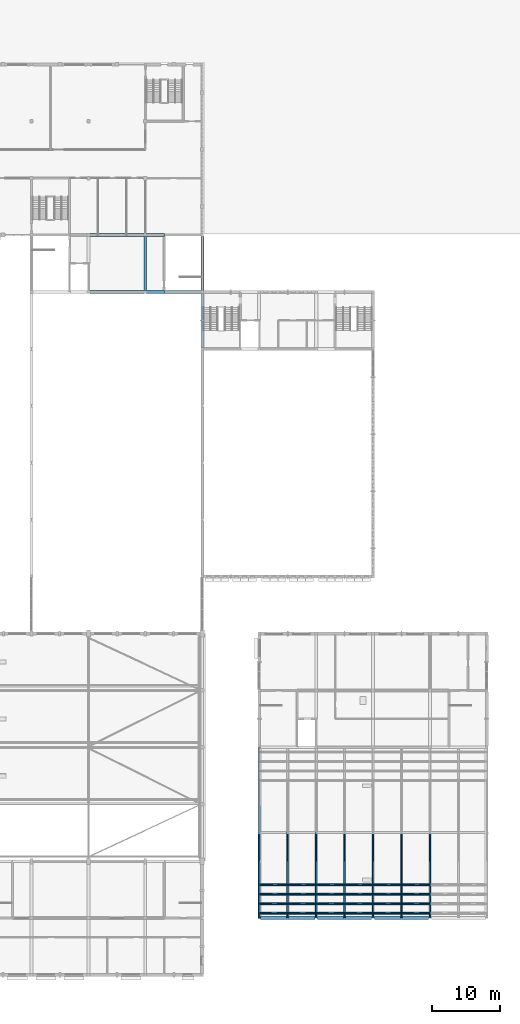
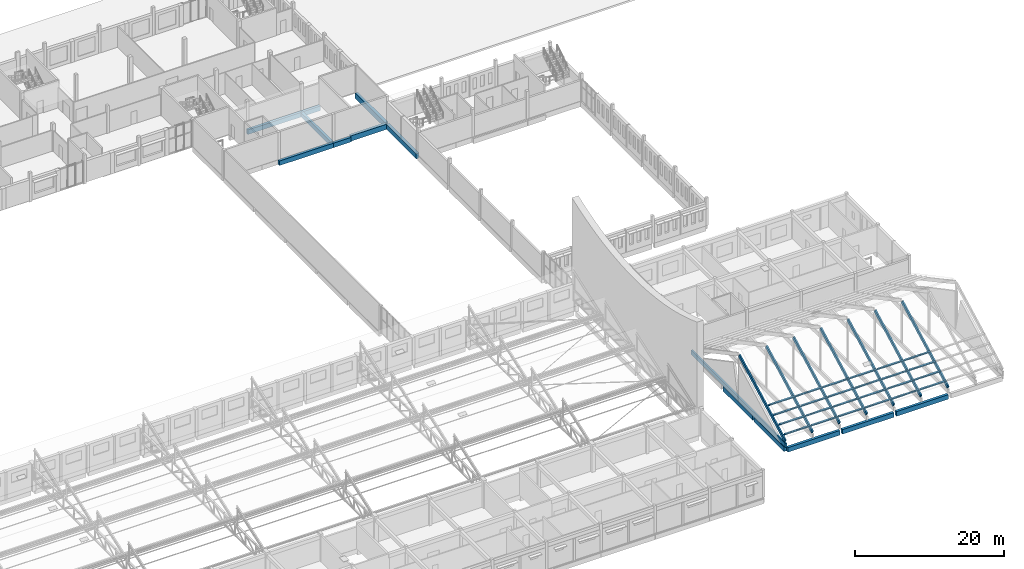
# One storey, part 44 of 101: 31 members, 14 beams.
"""IFC4 building model written with IfcOpenShell, lengths in metres."""

from ifc_helpers import new_model, si_unit, direction, frame, origin, origin_2d, place, context, subcontext, project, spatial, rectangle, extrude, material, material_profile, profile_set, type_object, element, save


model = new_model("IFC4")

# Units and contexts
model_context = context("Model", 3, precision=1e-05, world=origin(), true_north=direction((0.0, 1.0)))
body_context = subcontext(model_context, "Body", "Model", "MODEL_VIEW")
ifc_project = project(units=[si_unit("LENGTHUNIT", "METRE"), si_unit("AREAUNIT", "SQUARE_METRE"), si_unit("VOLUMEUNIT", "CUBIC_METRE"), si_unit("PLANEANGLEUNIT", "RADIAN"), si_unit("MASSUNIT", "GRAM", prefix="KILO")], contexts=[model_context])

# Site, building, storey
site_placement = place(None, origin())
site = spatial("IfcSite", under=ifc_project, at=site_placement, CompositionType="ELEMENT")
building_placement = place(site_placement, origin())
building = spatial("IfcBuilding", under=site, at=building_placement, Name="Fescue Hill Polytechnic", CompositionType="ELEMENT")
storey_placement = place(building_placement, frame((0.0, 0.0, 9.0)))
storey = spatial("IfcBuildingStorey", under=building, at=storey_placement, Name="L02", CompositionType="ELEMENT", Elevation=9.0)

# Beams
ifc_material_1 = material(Name="Concrete 35 MPa", Category="concrete")
ifc_material_profile_1 = material_profile(ifc_material_1, rectangle(XDim=0.39990234375, YDim=0.699951171875, at=origin_2d()), Name="RC 400x700")
ifc_profile_set_1 = profile_set([ifc_material_profile_1], Name="Concrete 35 MPa")
beam_type_1 = type_object("IfcBeamType", Name="Beam RC 400x700", PredefinedType="BEAM", material=ifc_profile_set_1)
beam_1_placement = place(storey_placement, frame((109.199951171875, 100.800048828125, -0.60009765625), z_axis=(0.0, 1.0, 0.0), x_axis=(-1.0, 0.0, 0.0)))
element("IfcBeam", 1, at=beam_1_placement, inside=storey, type_object=beam_type_1, Name="BM-L02-0120", PredefinedType="BEAM", context=body_context, shape_type="SweptSolid", body=[
    extrude(rectangle(XDim=0.39990234375, YDim=0.699951171875, at=origin_2d()), origin(), (0.0, 0.0, 1.0), 8.39990234375),
])
ifc_material_profile_2 = material_profile(ifc_material_1, rectangle(XDim=0.39990234375, YDim=0.75, at=origin_2d()), Name="RC 400x750")
ifc_profile_set_2 = profile_set([ifc_material_profile_2], Name="Concrete 35 MPa")
beam_type_2 = type_object("IfcBeamType", Name="Beam RC 400x750", PredefinedType="BEAM", material=ifc_profile_set_2)
beam_2_placement = place(storey_placement, frame((100.800048828125, 100.800048828125, -0.625), z_axis=(1.0, 0.0, 0.0), x_axis=(0.0, 1.0, 0.0)))
element("IfcBeam", 2, at=beam_2_placement, inside=storey, type_object=beam_type_2, Name="BM-L02-0117", PredefinedType="BEAM", context=body_context, shape_type="SweptSolid", body=[
    extrude(rectangle(XDim=0.39990234375, YDim=0.75, at=origin_2d()), origin(), (0.0, 0.0, 1.0), 8.389892578125),
])
beam_3_placement = place(storey_placement, frame((100.81005859375, 109.199951171875, -0.625), z_axis=(1.0, 0.0, 0.0), x_axis=(0.0, 1.0, 0.0)))
element("IfcBeam", 3, at=beam_3_placement, inside=storey, type_object=beam_type_2, Name="BM-L02-0119", PredefinedType="BEAM", context=body_context, shape_type="SweptSolid", body=[
    extrude(rectangle(XDim=0.39990234375, YDim=0.75, at=origin_2d()), origin(), (0.0, 0.0, 1.0), 8.3798828125),
])
for number, where, z_axis, x_axis, name in (
    (4, (109.2099609375, 100.800048828125, -0.625), (1.0, 0.0, 0.0), (0.0, 1.0, 0.0), "BM-L02-0121"),
    (5, (109.2099609375, 109.199951171875, -0.625), (1.0, 0.0, 0.0), (0.0, 1.0, 0.0), "BM-L02-0122"),
):
    element("IfcBeam", number, at=place(storey_placement, frame(where, z_axis=z_axis, x_axis=x_axis)), inside=storey, type_object=beam_type_2, Name=name, PredefinedType="BEAM", context=body_context, shape_type="SweptSolid", body=[
        extrude(rectangle(XDim=0.39990234375, YDim=0.75, at=origin_2d()), origin(), (0.0, 0.0, 1.0), 2.7900390625),
    ])
for number, where, z_axis, x_axis, name in (
    (6, (126.0, 16.60009765625, -0.375), (0.0, -1.0, 0.0), (1.0, 0.0, 0.0), "BM-L02-0188"),
    (7, (126.0, 25.0, -0.375), (0.0, -1.0, 0.0), (1.0, 0.0, 0.0), "BM-L02-0189"),
    (8, (126.199951171875, 8.39990234375, -0.375), (1.0, 0.0, 0.0), (0.0, 1.0, 0.0), "BM-L02-0192"),
    (9, (134.60009765625, 8.39990234375, -0.375), (1.0, 0.0, 0.0), (0.0, 1.0, 0.0), "BM-L02-0197"),
    (10, (143.0, 8.39990234375, -0.375), (1.0, 0.0, 0.0), (0.0, 1.0, 0.0), "BM-L02-0207"),
):
    element("IfcBeam", number, at=place(storey_placement, frame(where, z_axis=z_axis, x_axis=x_axis)), inside=storey, type_object=beam_type_2, Name=name, PredefinedType="BEAM", context=body_context, shape_type="SweptSolid", body=[
        extrude(rectangle(XDim=0.39990234375, YDim=0.75, at=origin_2d()), origin(), (0.0, 0.0, 1.0), 8.0),
    ])
ifc_material_profile_3 = material_profile(ifc_material_1, rectangle(XDim=0.449951171875, YDim=0.85009765625, at=origin_2d()), Name="RC 450x850")
ifc_profile_set_3 = profile_set([ifc_material_profile_3], Name="Concrete 35 MPa")
beam_type_3 = type_object("IfcBeamType", Name="Beam RC 450x850", PredefinedType="BEAM", material=ifc_profile_set_3)
beam_4_placement = place(storey_placement, frame((111.875, 100.800048828125, -0.425048828125), z_axis=(1.0, 0.0, 0.0), x_axis=(0.0, 1.0, 0.0)))
element("IfcBeam", 11, at=beam_4_placement, inside=storey, type_object=beam_type_3, Name="BM-L02-0172", PredefinedType="BEAM", context=body_context, shape_type="SweptSolid", body=[
    extrude(rectangle(XDim=0.449951171875, YDim=0.85009765625, at=origin_2d()), origin(), (0.0, 0.0, 1.0), 5.52490234375),
])
for number, where, z_axis, x_axis, name in (
    (12, (117.60009765625, 92.60009765625, -0.425048828125), (0.0, 1.0, 0.0), (-1.0, 0.0, 0.0), "BM-L02-0182"),
    (13, (117.60009765625, 101.0, -0.425048828125), (0.0, 1.0, 0.0), (-1.0, 0.0, 0.0), "BM-L02-0183"),
):
    element("IfcBeam", number, at=place(storey_placement, frame(where, z_axis=z_axis, x_axis=x_axis)), inside=storey, type_object=beam_type_3, Name=name, PredefinedType="BEAM", context=body_context, shape_type="SweptSolid", body=[
        extrude(rectangle(XDim=0.449951171875, YDim=0.85009765625, at=origin_2d()), origin(), (0.0, 0.0, 1.0), 8.0),
    ])

# Members
ifc_material_2 = material(Name="Glulam 24f-EX", Category="wood")
ifc_material_profile_4 = material_profile(ifc_material_2, rectangle(XDim=0.1298828125, YDim=0.303955078125, at=origin_2d()), Name="Refectory glulam purlin 130x304")
ifc_profile_set_4 = profile_set([ifc_material_profile_4], Name="Glulam 24f-EX")
member_type_1 = type_object("IfcMemberType", Name="Refectory glulam purlin 130x304", PredefinedType="PURLIN", material=ifc_profile_set_4)
for number, where, z_axis, x_axis, name in (
    (14, (126.107421875, 9.10009765625, 1.67138671875), (1.0, 0.0, 0.0), (0.0, 0.882934197129, 0.469496755623), "Refectory purlin S1 bay 1"),
    (15, (126.107421875, 10.5, 2.415771484375), (1.0, 0.0, 0.0), (0.0, 0.882934197129, 0.469496755623), "Refectory purlin S2 bay 1"),
    (16, (126.107421875, 11.89990234375, 3.160400390625), (1.0, 0.0, 0.0), (0.0, 0.882934197129, 0.469496755623), "Refectory purlin S3 bay 1"),
    (17, (126.107421875, 13.300048828125, 3.90478515625), (1.0, 0.0, 0.0), (0.0, 0.882934197129, 0.469496755623), "Refectory purlin S4 bay 1"),
):
    element("IfcMember", number, at=place(storey_placement, frame(where, z_axis=z_axis, x_axis=x_axis)), inside=storey, type_object=member_type_1, Name=name, PredefinedType="PURLIN", context=body_context, shape_type="SweptSolid", body=[
        extrude(rectangle(XDim=0.1298828125, YDim=0.303955078125, at=origin_2d()), origin(), (0.0, 0.0, 1.0), 3.985107421875),
    ])
for number, where, z_axis, x_axis, name in (
    (18, (130.3076171875, 9.10009765625, 1.67138671875), (1.0, 0.0, 0.0), (0.0, 0.882934197129, 0.469496755623), "Refectory purlin S1 bay 2"),
    (19, (130.3076171875, 10.5, 2.415771484375), (1.0, 0.0, 0.0), (0.0, 0.882934197129, 0.469496755623), "Refectory purlin S2 bay 2"),
    (20, (130.3076171875, 11.89990234375, 3.160400390625), (1.0, 0.0, 0.0), (0.0, 0.882934197129, 0.469496755623), "Refectory purlin S3 bay 2"),
    (21, (130.3076171875, 13.300048828125, 3.90478515625), (1.0, 0.0, 0.0), (0.0, 0.882934197129, 0.469496755623), "Refectory purlin S4 bay 2"),
    (22, (134.507568359375, 9.10009765625, 1.67138671875), (1.0, 0.0, 0.0), (0.0, 0.882934197129, 0.469496755623), "Refectory purlin S1 bay 3"),
    (23, (134.507568359375, 10.5, 2.415771484375), (1.0, 0.0, 0.0), (0.0, 0.882934197129, 0.469496755623), "Refectory purlin S2 bay 3"),
    (24, (134.507568359375, 11.89990234375, 3.160400390625), (1.0, 0.0, 0.0), (0.0, 0.882934197129, 0.469496755623), "Refectory purlin S3 bay 3"),
    (25, (134.507568359375, 13.300048828125, 3.90478515625), (1.0, 0.0, 0.0), (0.0, 0.882934197129, 0.469496755623), "Refectory purlin S4 bay 3"),
    (26, (138.70751953125, 9.10009765625, 1.67138671875), (1.0, 0.0, 0.0), (0.0, 0.882934197129, 0.469496755623), "Refectory purlin S1 bay 4"),
    (27, (138.70751953125, 10.5, 2.415771484375), (1.0, 0.0, 0.0), (0.0, 0.882934197129, 0.469496755623), "Refectory purlin S2 bay 4"),
    (28, (138.70751953125, 11.89990234375, 3.160400390625), (1.0, 0.0, 0.0), (0.0, 0.882934197129, 0.469496755623), "Refectory purlin S3 bay 4"),
    (29, (138.70751953125, 13.300048828125, 3.90478515625), (1.0, 0.0, 0.0), (0.0, 0.882934197129, 0.469496755623), "Refectory purlin S4 bay 4"),
):
    element("IfcMember", number, at=place(storey_placement, frame(where, z_axis=z_axis, x_axis=x_axis)), inside=storey, type_object=member_type_1, Name=name, PredefinedType="PURLIN", context=body_context, shape_type="SweptSolid", body=[
        extrude(rectangle(XDim=0.1298828125, YDim=0.303955078125, at=origin_2d()), origin(), (0.0, 0.0, 1.0), 3.98486328125),
    ])
for number, where, z_axis, x_axis, name in (
    (30, (142.907470703125, 9.10009765625, 1.67138671875), (1.0, 0.0, 0.0), (0.0, 0.882934197129, 0.469496755623), "Refectory purlin S1 bay 5"),
    (31, (142.907470703125, 10.5, 2.415771484375), (1.0, 0.0, 0.0), (0.0, 0.882934197129, 0.469496755623), "Refectory purlin S2 bay 5"),
    (32, (142.907470703125, 11.89990234375, 3.160400390625), (1.0, 0.0, 0.0), (0.0, 0.882934197129, 0.469496755623), "Refectory purlin S3 bay 5"),
    (33, (142.907470703125, 13.300048828125, 3.90478515625), (1.0, 0.0, 0.0), (0.0, 0.882934197129, 0.469496755623), "Refectory purlin S4 bay 5"),
    (34, (147.107421875, 9.10009765625, 1.67138671875), (1.0, 0.0, 0.0), (0.0, 0.882934197129, 0.469496755623), "Refectory purlin S1 bay 6"),
    (35, (147.107421875, 10.5, 2.415771484375), (1.0, 0.0, 0.0), (0.0, 0.882934197129, 0.469496755623), "Refectory purlin S2 bay 6"),
    (36, (147.107421875, 11.89990234375, 3.160400390625), (1.0, 0.0, 0.0), (0.0, 0.882934197129, 0.469496755623), "Refectory purlin S3 bay 6"),
    (37, (147.107421875, 13.300048828125, 3.90478515625), (1.0, 0.0, 0.0), (0.0, 0.882934197129, 0.469496755623), "Refectory purlin S4 bay 6"),
):
    element("IfcMember", number, at=place(storey_placement, frame(where, z_axis=z_axis, x_axis=x_axis)), inside=storey, type_object=member_type_1, Name=name, PredefinedType="PURLIN", context=body_context, shape_type="SweptSolid", body=[
        extrude(rectangle(XDim=0.1298828125, YDim=0.303955078125, at=origin_2d()), origin(), (0.0, 0.0, 1.0), 3.985107421875),
    ])
ifc_material_profile_5 = material_profile(ifc_material_2, rectangle(XDim=0.215087890625, YDim=0.531982421875, at=origin_2d()), Name="Refectory glulam rafter 215x532")
ifc_profile_set_5 = profile_set([ifc_material_profile_5], Name="Glulam 24f-EX")
member_type_2 = type_object("IfcMemberType", Name="Refectory glulam rafter 215x532", PredefinedType="RAFTER", material=ifc_profile_set_5)
for number, where, z_axis, x_axis, name in (
    (38, (126.0, 8.5751953125, 0.9189453125), (0.0, 0.882936036566, 0.469493296366), (-1.0, 0.0, 0.0), "Refectory rafter S1"),
    (39, (130.199951171875, 8.5751953125, 0.9189453125), (0.0, 0.882936036566, 0.469493296366), (-1.0, 0.0, 0.0), "Refectory rafter S2"),
    (40, (134.39990234375, 8.5751953125, 0.9189453125), (0.0, 0.882936036566, 0.469493296366), (-1.0, 0.0, 0.0), "Refectory rafter S3"),
    (41, (138.60009765625, 8.5751953125, 0.9189453125), (0.0, 0.882936036566, 0.469493296366), (-1.0, 0.0, 0.0), "Refectory rafter S4"),
    (42, (142.800048828125, 8.5751953125, 0.9189453125), (0.0, 0.882936036566, 0.469493296366), (-1.0, 0.0, 0.0), "Refectory rafter S5"),
    (43, (147.0, 8.5751953125, 0.9189453125), (0.0, 0.882936036566, 0.469493296366), (-1.0, 0.0, 0.0), "Refectory rafter S6"),
    (44, (151.199951171875, 8.5751953125, 0.9189453125), (0.0, 0.882936036566, 0.469493296366), (-1.0, 0.0, 0.0), "Refectory rafter S7"),
):
    element("IfcMember", number, at=place(storey_placement, frame(where, z_axis=z_axis, x_axis=x_axis)), inside=storey, type_object=member_type_2, Name=name, PredefinedType="RAFTER", context=body_context, shape_type="SweptSolid", body=[
        extrude(rectangle(XDim=0.215087890625, YDim=0.531982421875, at=origin_2d()), origin(), (0.0, 0.0, 1.0), 13.97314453125),
    ])

# Beam
ifc_material_profile_6 = material_profile(ifc_material_2, rectangle(XDim=0.264892578125, YDim=0.68408203125, at=origin_2d()), Name="Refectory glulam roof tie 265x684")
ifc_profile_set_6 = profile_set([ifc_material_profile_6], Name="Glulam 24f-EX")
beam_type_4 = type_object("IfcBeamType", Name="Refectory glulam roof tie 265x684", PredefinedType="BEAM", material=ifc_profile_set_6)
beam_5_placement = place(storey_placement, frame((126.0, 8.39990234375, 0.342041015625), z_axis=(0.0, 1.0, 0.0), x_axis=(-1.0, 0.0, 0.0)))
element("IfcBeam", 45, at=beam_5_placement, inside=storey, type_object=beam_type_4, Name="Refectory roof tie 1", PredefinedType="BEAM", context=body_context, shape_type="SweptSolid", body=[
    extrude(rectangle(XDim=0.264892578125, YDim=0.68408203125, at=origin_2d()), origin(), (0.0, 0.0, 1.0), 25.2001953125),
])

save(model, "model.ifc")
